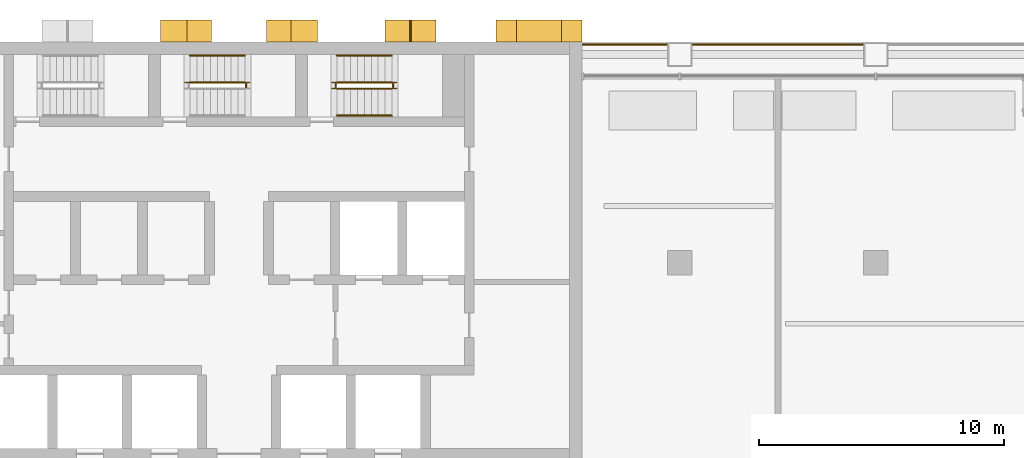
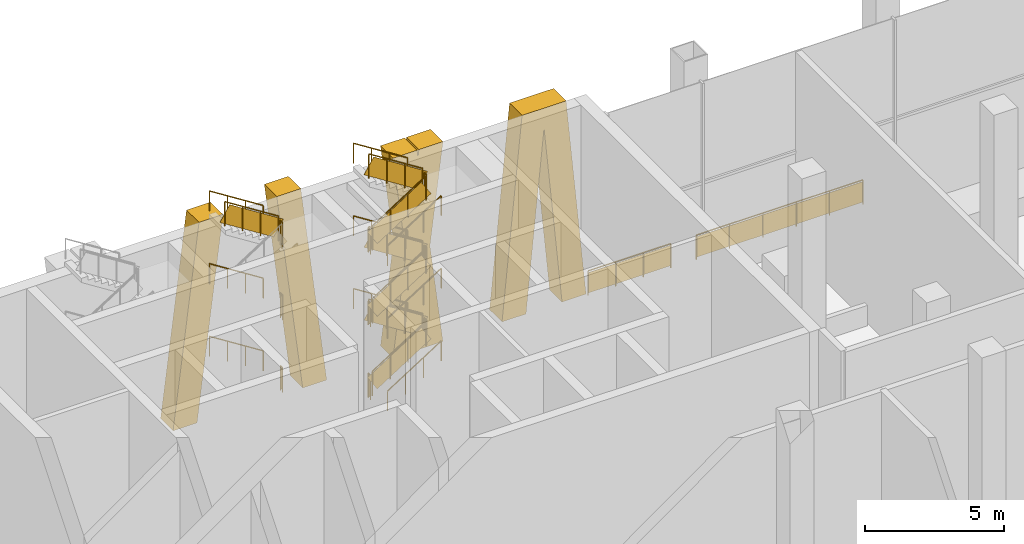
# One storey, part 15 of 16: 27 railings, 4 shading devices.
"""IFC4 building model written with IfcOpenShell, lengths in metres."""

from ifc_helpers import new_model, si_unit, direction, frame, origin, origin_2d, place, context, subcontext, project, spatial, polyline, rectangle, circle, outline, extrude, material, layer, layer_set, type_object, element, save


model = new_model("IFC4")

# Units and contexts
model_context = context("Model", 3, precision=1e-05, world=origin(), true_north=direction((0.0, 1.0)))
body_context = subcontext(model_context, "Body", "Model", "MODEL_VIEW")
ifc_project = project(units=[si_unit("LENGTHUNIT", "METRE"), si_unit("AREAUNIT", "SQUARE_METRE"), si_unit("VOLUMEUNIT", "CUBIC_METRE"), si_unit("PLANEANGLEUNIT", "RADIAN"), si_unit("MASSUNIT", "GRAM", prefix="KILO")], contexts=[model_context])

# Site, building, storey
site_placement = place(None, origin())
site = spatial("IfcSite", under=ifc_project, at=site_placement, CompositionType="ELEMENT")
building_placement = place(site_placement, origin())
building = spatial("IfcBuilding", under=site, at=building_placement, Name="Vidyagriha Tower", CompositionType="ELEMENT")
storey_placement = place(building_placement, frame((0.0, 0.0, 64.0)))
storey = spatial("IfcBuildingStorey", under=building, at=storey_placement, Name="L17", CompositionType="ELEMENT", Elevation=64.0)

# Shading devices
ifc_material_1 = material(Name="Precast concrete C40/50 with brick facing", Category="concrete")
ifc_layer_1 = layer(ifc_material_1, 1.0)
ifc_layer_set_1 = layer_set([ifc_layer_1], Name="Precast concrete C40/50 with brick facing")
shading_device_type_1 = type_object("IfcShadingDeviceType", Name="Brick-faced rear rib arm leaning 8 degrees", PredefinedType="USERDEFINED", material=ifc_layer_set_1)
shading_device_1_placement = place(storey_placement, frame((3.199951171875, 20.449951171875, 0.0), z_axis=(0.0, 0.0, 1.0), x_axis=(-1.0, 0.0, 0.0)))
element("IfcShadingDevice", 1, at=shading_device_1_placement, inside=storey, type_object=shading_device_type_1, Name="Rear rib arm L17 R08.3a", ObjectType="BLADE FIN", PredefinedType="USERDEFINED", context=body_context, shape_type="SweptSolid", body=[
    extrude(outline(polyline([(0.0, 0.0), (1.0, 0.0), (2.080078125, 8.800048828125), (1.080078125, 8.800048828125), (0.0, 0.0)])), frame((0.0, 0.449951171875, 0.0), z_axis=(0.0, -1.0, 0.0), x_axis=(1.0, 0.0, 0.0)), (0.0, 0.0, 1.0), 0.89990234375),
])
shading_device_2_placement = place(storey_placement, frame((-1.1201171875, 20.449951171875, 0.0), z_axis=(0.0, 0.0, 1.0), x_axis=(-1.0, 0.0, 0.0)))
element("IfcShadingDevice", 2, at=shading_device_2_placement, inside=storey, type_object=shading_device_type_1, Name="Rear rib arm L17 R08.3b", ObjectType="BLADE FIN", PredefinedType="USERDEFINED", context=body_context, shape_type="SweptSolid", body=[
    extrude(outline(polyline([(1.080078125, 0.0), (2.080078125, 0.0), (1.0, 8.800048828125), (0.0, 8.800048828125), (1.080078125, 0.0)])), frame((0.0, 0.449951171875, 0.0), z_axis=(0.0, -1.0, 0.0), x_axis=(1.0, 0.0, 0.0)), (0.0, 0.0, 1.0), 0.89990234375),
])
ifc_material_2 = material(Name="Precast concrete C40/50 with brick facing", Category="concrete")
ifc_layer_2 = layer(ifc_material_2, 1.0)
ifc_layer_set_2 = layer_set([ifc_layer_2], Name="Precast concrete C40/50 with brick facing")
shading_device_type_2 = type_object("IfcShadingDeviceType", Name="Brick-faced rear rib forking 8 degrees", PredefinedType="USERDEFINED", material=ifc_layer_set_2)
shading_device_3_placement = place(storey_placement, frame((14.0, 20.449951171875, 0.0), z_axis=(0.0, 0.0, 1.0), x_axis=(-1.0, 0.0, 0.0)))
element("IfcShadingDevice", 3, at=shading_device_3_placement, inside=storey, type_object=shading_device_type_2, Name="Rear rib fork L17 R08.1a", ObjectType="BLADE FIN", PredefinedType="USERDEFINED", context=body_context, shape_type="SweptSolid", body=[
    extrude(outline(polyline([(1.0, 0.0), (1.75, 7.919921875), (2.5, 0.0), (3.5, 0.0), (2.666748046875, 8.800048828125), (0.833251953125, 8.800048828125), (0.0, 0.0), (1.0, 0.0)])), frame((0.0, 0.449951171875, 0.0), z_axis=(0.0, -1.0, 0.0), x_axis=(1.0, 0.0, 0.0)), (0.0, 0.0, 1.0), 0.89990234375),
])
shading_device_4_placement = place(storey_placement, frame((8.0400390625, 20.449951171875, 0.0), z_axis=(0.0, 0.0, 1.0), x_axis=(-1.0, 0.0, 0.0)))
element("IfcShadingDevice", 4, at=shading_device_4_placement, inside=storey, type_object=shading_device_type_2, Name="Rear rib fork L17 R08.2a", ObjectType="BLADE FIN", PredefinedType="USERDEFINED", context=body_context, shape_type="SweptSolid", body=[
    extrude(outline(polyline([(1.0, 0.0), (1.0400390625, 0.325927734375), (1.080078125, 0.0), (2.080078125, 0.0), (1.5400390625, 4.39990234375), (2.080078125, 8.800048828125), (1.080078125, 8.800048828125), (1.0400390625, 8.47412109375), (1.0, 8.800048828125), (0.0, 8.800048828125), (0.5400390625, 4.39990234375), (0.0, 0.0), (1.0, 0.0)])), frame((0.0, 0.449951171875, 0.0), z_axis=(0.0, -1.0, 0.0), x_axis=(1.0, 0.0, 0.0)), (0.0, 0.0, 1.0), 0.89990234375),
])

# Railings
ifc_material_3 = material(Name="Steel ASTM A500 Grade C black painted", Category="steel")
railing_type_1 = type_object("IfcRailingType", Name="Gallery guard 1100", PredefinedType="GUARDRAIL", material=ifc_material_3)
railing_1_placement = place(storey_placement, frame((14.030029296875, 19.89990234375, 0.0)))
element("IfcRailing", 5, at=railing_1_placement, inside=storey, type_object=railing_type_1, Name="Gallery guard L17 18", PredefinedType="GUARDRAIL", context=body_context, shape_type="SweptSolid", body=[
    extrude(circle(Radius=0.02490234375, at=origin_2d()), frame((0.0, 0.0, 1.0751953125), z_axis=(1.0, 0.0, 0.0), x_axis=(0.0, 1.0, 0.0)), (0.0, 0.0, 1.0), 3.43994140625),
    extrude(circle(Radius=0.02001953125, at=origin_2d()), origin(), (0.0, 0.0, 1.0), 1.050048828125),
    extrude(circle(Radius=0.02001953125, at=origin_2d()), frame((1.146728515625, 0.0, 0.0)), (0.0, 0.0, 1.0), 1.050048828125),
    extrude(circle(Radius=0.02001953125, at=origin_2d()), frame((2.293212890625, 0.0, 0.0)), (0.0, 0.0, 1.0), 1.050048828125),
    extrude(circle(Radius=0.02001953125, at=origin_2d()), frame((3.43994140625, 0.0, 0.0)), (0.0, 0.0, 1.0), 1.050048828125),
    extrude(rectangle(XDim=0.010009765625, YDim=0.900146484375, at=origin_2d()), frame((0.0, 0.0, 0.550048828125), z_axis=(1.0, 0.0, 0.0), x_axis=(0.0, 1.0, 0.0)), (0.0, 0.0, 1.0), 3.43994140625),
])
railing_2_placement = place(storey_placement, frame((18.530029296875, 19.89990234375, 0.0)))
element("IfcRailing", 6, at=railing_2_placement, inside=storey, type_object=railing_type_1, Name="Gallery guard L17 20", PredefinedType="GUARDRAIL", context=body_context, shape_type="SweptSolid", body=[
    extrude(circle(Radius=0.02490234375, at=origin_2d()), frame((0.0, 0.0, 1.0751953125), z_axis=(1.0, 0.0, 0.0), x_axis=(0.0, 1.0, 0.0)), (0.0, 0.0, 1.0), 6.93994140625),
    extrude(circle(Radius=0.02001953125, at=origin_2d()), origin(), (0.0, 0.0, 1.0), 1.050048828125),
    extrude(circle(Radius=0.02001953125, at=origin_2d()), frame((1.387939453125, 0.0, 0.0)), (0.0, 0.0, 1.0), 1.050048828125),
    extrude(circle(Radius=0.02001953125, at=origin_2d()), frame((2.77587890625, 0.0, 0.0)), (0.0, 0.0, 1.0), 1.050048828125),
    extrude(circle(Radius=0.02001953125, at=origin_2d()), frame((4.1640625, 0.0, 0.0)), (0.0, 0.0, 1.0), 1.050048828125),
    extrude(circle(Radius=0.02001953125, at=origin_2d()), frame((5.552001953125, 0.0, 0.0)), (0.0, 0.0, 1.0), 1.050048828125),
    extrude(circle(Radius=0.02001953125, at=origin_2d()), frame((6.93994140625, 0.0, 0.0)), (0.0, 0.0, 1.0), 1.050048828125),
    extrude(rectangle(XDim=0.010009765625, YDim=0.900146484375, at=origin_2d()), frame((0.0, 0.0, 0.550048828125), z_axis=(1.0, 0.0, 0.0), x_axis=(0.0, 1.0, 0.0)), (0.0, 0.0, 1.0), 6.93994140625),
])
ifc_material_4 = material(Name="Steel ASTM A500 Grade C", Category="steel")
railing_type_2 = type_object("IfcRailingType", Name="Stair guard 1100 mm, steel balustrade", PredefinedType="GUARDRAIL", material=ifc_material_4)
for number, where, name in (
    (7, (0.2900390625, 18.14990234375, 1.60009765625), "L17 ST2 stair guard 2"),
    (8, (0.2900390625, 18.14990234375, 4.800048828125), "L17 ST2 stair guard 6"),
    (9, (0.2900390625, 18.14990234375, 8.0), "L17 ST2 stair guard 10"),
):
    element("IfcRailing", number, at=place(storey_placement, frame(where)), inside=storey, type_object=railing_type_2, Name=name, PredefinedType="GUARDRAIL", context=body_context, shape_type="SweptSolid", body=[
        extrude(circle(Radius=0.02392578125, at=origin_2d()), frame((0.0, 0.0, 1.076171875), z_axis=(0.0, 1.0, 0.0), x_axis=(-1.0, 0.0, 0.0)), (0.0, 0.0, 1.0), 0.150146484375),
        extrude(circle(Radius=0.02099609375, at=origin_2d()), origin(), (0.0, 0.0, 1.0), 1.052001953125),
        extrude(circle(Radius=0.02099609375, at=origin_2d()), frame((0.0, 0.150146484375, 0.0)), (0.0, 0.0, 1.0), 1.052001953125),
        extrude(rectangle(XDim=0.010009765625, YDim=0.902099609375, at=origin_2d()), frame((0.0, 0.0, 0.551025390625), z_axis=(0.0, 1.0, 0.0), x_axis=(-1.0, 0.0, 0.0)), (0.0, 0.0, 1.0), 0.150146484375),
    ])
railing_3_placement = place(storey_placement, frame((0.239990234375, 18.35009765625, 8.177734375)))
element("IfcRailing", 10, at=railing_3_placement, inside=storey, type_object=railing_type_2, Name="L17 ST2 stair guard 11", PredefinedType="GUARDRAIL", context=body_context, shape_type="SweptSolid", body=[
    extrude(circle(Radius=0.02392578125, at=origin_2d()), frame((0.0, 0.0, 1.076171875), z_axis=(-0.84418770128, 0.0, 0.536047689118), x_axis=(0.0, -1.0, 0.0)), (0.0, 0.0, 1.0), 2.6533203125),
    extrude(circle(Radius=0.02099609375, at=origin_2d()), origin(), (0.0, 0.0, 1.0), 1.052001953125),
    extrude(circle(Radius=0.02099609375, at=origin_2d()), frame((-0.74658203125, 0.0, 0.47412109375)), (0.0, 0.0, 1.0), 1.052001953125),
    extrude(circle(Radius=0.02099609375, at=origin_2d()), frame((-1.493408203125, 0.0, 0.9482421875)), (0.0, 0.0, 1.0), 1.052001953125),
    extrude(circle(Radius=0.02099609375, at=origin_2d()), frame((-2.239990234375, 0.0, 1.42236328125)), (0.0, 0.0, 1.0), 1.052001953125),
    extrude(rectangle(XDim=0.010009765625, YDim=0.761474609375, at=origin_2d()), frame((0.0, 0.0, 0.551025390625), z_axis=(-0.84418770128, 0.0, 0.536047689118), x_axis=(0.0, -1.0, 0.0)), (0.0, 0.0, 1.0), 2.6533203125),
])
railing_4_placement = place(storey_placement, frame((4.0, 18.10009765625, 0.177734375)))
element("IfcRailing", 11, at=railing_4_placement, inside=storey, type_object=railing_type_2, Name="L17 ST3 stair guard 1", PredefinedType="GUARDRAIL", context=body_context, shape_type="SweptSolid", body=[
    extrude(circle(Radius=0.02392578125, at=origin_2d()), frame((0.0, 0.0, 1.076171875), z_axis=(0.84418770128, 0.0, 0.536047689118), x_axis=(0.0, 1.0, 0.0)), (0.0, 0.0, 1.0), 2.6533203125),
    extrude(circle(Radius=0.02099609375, at=origin_2d()), origin(), (0.0, 0.0, 1.0), 1.052001953125),
    extrude(circle(Radius=0.02099609375, at=origin_2d()), frame((0.74658203125, 0.0, 0.47412109375)), (0.0, 0.0, 1.0), 1.052001953125),
    extrude(circle(Radius=0.02099609375, at=origin_2d()), frame((1.493408203125, 0.0, 0.9482421875)), (0.0, 0.0, 1.0), 1.052001953125),
    extrude(circle(Radius=0.02099609375, at=origin_2d()), frame((2.239990234375, 0.0, 1.42236328125)), (0.0, 0.0, 1.0), 1.052001953125),
    extrude(rectangle(XDim=0.010009765625, YDim=0.761474609375, at=origin_2d()), frame((0.0, 0.0, 0.551025390625), z_axis=(0.84418770128, 0.0, 0.536047689118), x_axis=(0.0, 1.0, 0.0)), (0.0, 0.0, 1.0), 2.6533203125),
])
railing_5_placement = place(storey_placement, frame((6.2900390625, 18.14990234375, 1.60009765625)))
element("IfcRailing", 12, at=railing_5_placement, inside=storey, type_object=railing_type_2, Name="L17 ST3 stair guard 2", PredefinedType="GUARDRAIL", context=body_context, shape_type="SweptSolid", body=[
    extrude(circle(Radius=0.02392578125, at=origin_2d()), frame((0.0, 0.0, 1.076171875), z_axis=(0.0, 1.0, 0.0), x_axis=(-1.0, 0.0, 0.0)), (0.0, 0.0, 1.0), 0.150146484375),
    extrude(circle(Radius=0.02099609375, at=origin_2d()), origin(), (0.0, 0.0, 1.0), 1.052001953125),
    extrude(circle(Radius=0.02099609375, at=origin_2d()), frame((0.0, 0.150146484375, 0.0)), (0.0, 0.0, 1.0), 1.052001953125),
    extrude(rectangle(XDim=0.010009765625, YDim=0.902099609375, at=origin_2d()), frame((0.0, 0.0, 0.551025390625), z_axis=(0.0, 1.0, 0.0), x_axis=(-1.0, 0.0, 0.0)), (0.0, 0.0, 1.0), 0.150146484375),
])
railing_6_placement = place(storey_placement, frame((6.239990234375, 18.35009765625, 1.77783203125)))
element("IfcRailing", 13, at=railing_6_placement, inside=storey, type_object=railing_type_2, Name="L17 ST3 stair guard 3", PredefinedType="GUARDRAIL", context=body_context, shape_type="SweptSolid", body=[
    extrude(circle(Radius=0.02392578125, at=origin_2d()), frame((0.0, 0.0, 1.076171875), z_axis=(-0.8442293374, 0.0, 0.53598211339), x_axis=(0.0, -1.0, 0.0)), (0.0, 0.0, 1.0), 2.6533203125),
    extrude(circle(Radius=0.02099609375, at=origin_2d()), origin(), (0.0, 0.0, 1.0), 1.052001953125),
    extrude(circle(Radius=0.02099609375, at=origin_2d()), frame((-0.74658203125, 0.0, 0.47412109375)), (0.0, 0.0, 1.0), 1.052001953125),
    extrude(circle(Radius=0.02099609375, at=origin_2d()), frame((-1.493408203125, 0.0, 0.947998046875)), (0.0, 0.0, 1.0), 1.052001953125),
    extrude(circle(Radius=0.02099609375, at=origin_2d()), frame((-2.239990234375, 0.0, 1.422119140625)), (0.0, 0.0, 1.0), 1.052001953125),
    extrude(rectangle(XDim=0.010009765625, YDim=0.761474609375, at=origin_2d()), frame((0.0, 0.0, 0.551025390625), z_axis=(-0.8442293374, 0.0, 0.53598211339), x_axis=(0.0, -1.0, 0.0)), (0.0, 0.0, 1.0), 2.6533203125),
])
railing_7_placement = place(storey_placement, frame((3.949951171875, 18.14990234375, 3.199951171875)))
element("IfcRailing", 14, at=railing_7_placement, inside=storey, type_object=railing_type_2, Name="L17 ST3 stair guard 4", PredefinedType="GUARDRAIL", context=body_context, shape_type="SweptSolid", body=[
    extrude(circle(Radius=0.02392578125, at=origin_2d()), frame((0.0, 0.0, 1.076171875), z_axis=(0.0, 1.0, 0.0), x_axis=(-1.0, 0.0, 0.0)), (0.0, 0.0, 1.0), 0.150146484375),
    extrude(circle(Radius=0.02099609375, at=origin_2d()), origin(), (0.0, 0.0, 1.0), 1.052001953125),
    extrude(circle(Radius=0.02099609375, at=origin_2d()), frame((0.0, 0.150146484375, 0.0)), (0.0, 0.0, 1.0), 1.052001953125),
    extrude(rectangle(XDim=0.010009765625, YDim=0.902099609375, at=origin_2d()), frame((0.0, 0.0, 0.551025390625), z_axis=(0.0, 1.0, 0.0), x_axis=(-1.0, 0.0, 0.0)), (0.0, 0.0, 1.0), 0.150146484375),
])
railing_8_placement = place(storey_placement, frame((4.0, 18.10009765625, 3.377685546875)))
element("IfcRailing", 15, at=railing_8_placement, inside=storey, type_object=railing_type_2, Name="L17 ST3 stair guard 5", PredefinedType="GUARDRAIL", context=body_context, shape_type="SweptSolid", body=[
    extrude(circle(Radius=0.02392578125, at=origin_2d()), frame((0.0, 0.0, 1.076171875), z_axis=(0.84418770128, 0.0, 0.536047689118), x_axis=(0.0, 1.0, 0.0)), (0.0, 0.0, 1.0), 2.6533203125),
    extrude(circle(Radius=0.02099609375, at=origin_2d()), origin(), (0.0, 0.0, 1.0), 1.052001953125),
    extrude(circle(Radius=0.02099609375, at=origin_2d()), frame((0.74658203125, 0.0, 0.47412109375)), (0.0, 0.0, 1.0), 1.052001953125),
    extrude(circle(Radius=0.02099609375, at=origin_2d()), frame((1.493408203125, 0.0, 0.9482421875)), (0.0, 0.0, 1.0), 1.052001953125),
    extrude(circle(Radius=0.02099609375, at=origin_2d()), frame((2.239990234375, 0.0, 1.42236328125)), (0.0, 0.0, 1.0), 1.052001953125),
    extrude(rectangle(XDim=0.010009765625, YDim=0.761474609375, at=origin_2d()), frame((0.0, 0.0, 0.551025390625), z_axis=(0.84418770128, 0.0, 0.536047689118), x_axis=(0.0, 1.0, 0.0)), (0.0, 0.0, 1.0), 2.6533203125),
])
railing_9_placement = place(storey_placement, frame((6.2900390625, 18.14990234375, 4.800048828125)))
element("IfcRailing", 16, at=railing_9_placement, inside=storey, type_object=railing_type_2, Name="L17 ST3 stair guard 6", PredefinedType="GUARDRAIL", context=body_context, shape_type="SweptSolid", body=[
    extrude(circle(Radius=0.02392578125, at=origin_2d()), frame((0.0, 0.0, 1.076171875), z_axis=(0.0, 1.0, 0.0), x_axis=(-1.0, 0.0, 0.0)), (0.0, 0.0, 1.0), 0.150146484375),
    extrude(circle(Radius=0.02099609375, at=origin_2d()), origin(), (0.0, 0.0, 1.0), 1.052001953125),
    extrude(circle(Radius=0.02099609375, at=origin_2d()), frame((0.0, 0.150146484375, 0.0)), (0.0, 0.0, 1.0), 1.052001953125),
    extrude(rectangle(XDim=0.010009765625, YDim=0.902099609375, at=origin_2d()), frame((0.0, 0.0, 0.551025390625), z_axis=(0.0, 1.0, 0.0), x_axis=(-1.0, 0.0, 0.0)), (0.0, 0.0, 1.0), 0.150146484375),
])
railing_10_placement = place(storey_placement, frame((6.239990234375, 18.35009765625, 4.977783203125)))
element("IfcRailing", 17, at=railing_10_placement, inside=storey, type_object=railing_type_2, Name="L17 ST3 stair guard 7", PredefinedType="GUARDRAIL", context=body_context, shape_type="SweptSolid", body=[
    extrude(circle(Radius=0.02392578125, at=origin_2d()), frame((0.0, 0.0, 1.076171875), z_axis=(-0.8442293374, 0.0, 0.53598211339), x_axis=(0.0, -1.0, 0.0)), (0.0, 0.0, 1.0), 2.6533203125),
    extrude(circle(Radius=0.02099609375, at=origin_2d()), origin(), (0.0, 0.0, 1.0), 1.052001953125),
    extrude(circle(Radius=0.02099609375, at=origin_2d()), frame((-0.74658203125, 0.0, 0.47412109375)), (0.0, 0.0, 1.0), 1.052001953125),
    extrude(circle(Radius=0.02099609375, at=origin_2d()), frame((-1.493408203125, 0.0, 0.947998046875)), (0.0, 0.0, 1.0), 1.052001953125),
    extrude(circle(Radius=0.02099609375, at=origin_2d()), frame((-2.239990234375, 0.0, 1.422119140625)), (0.0, 0.0, 1.0), 1.052001953125),
    extrude(rectangle(XDim=0.010009765625, YDim=0.761474609375, at=origin_2d()), frame((0.0, 0.0, 0.551025390625), z_axis=(-0.8442293374, 0.0, 0.53598211339), x_axis=(0.0, -1.0, 0.0)), (0.0, 0.0, 1.0), 2.6533203125),
])
railing_11_placement = place(storey_placement, frame((3.949951171875, 18.14990234375, 6.39990234375)))
element("IfcRailing", 18, at=railing_11_placement, inside=storey, type_object=railing_type_2, Name="L17 ST3 stair guard 8", PredefinedType="GUARDRAIL", context=body_context, shape_type="SweptSolid", body=[
    extrude(circle(Radius=0.02392578125, at=origin_2d()), frame((0.0, 0.0, 1.076171875), z_axis=(0.0, 1.0, 0.0), x_axis=(-1.0, 0.0, 0.0)), (0.0, 0.0, 1.0), 0.150146484375),
    extrude(circle(Radius=0.02099609375, at=origin_2d()), origin(), (0.0, 0.0, 1.0), 1.052001953125),
    extrude(circle(Radius=0.02099609375, at=origin_2d()), frame((0.0, 0.150146484375, 0.0)), (0.0, 0.0, 1.0), 1.052001953125),
    extrude(rectangle(XDim=0.010009765625, YDim=0.902099609375, at=origin_2d()), frame((0.0, 0.0, 0.551025390625), z_axis=(0.0, 1.0, 0.0), x_axis=(-1.0, 0.0, 0.0)), (0.0, 0.0, 1.0), 0.150146484375),
])
railing_12_placement = place(storey_placement, frame((4.0, 18.10009765625, 6.577880859375)))
element("IfcRailing", 19, at=railing_12_placement, inside=storey, type_object=railing_type_2, Name="L17 ST3 stair guard 9", PredefinedType="GUARDRAIL", context=body_context, shape_type="SweptSolid", body=[
    extrude(circle(Radius=0.02392578125, at=origin_2d()), frame((0.0, 0.0, 1.076171875), z_axis=(0.8442293374, 0.0, 0.53598211339), x_axis=(0.0, 1.0, 0.0)), (0.0, 0.0, 1.0), 2.6533203125),
    extrude(circle(Radius=0.02099609375, at=origin_2d()), origin(), (0.0, 0.0, 1.0), 1.052001953125),
    extrude(circle(Radius=0.02099609375, at=origin_2d()), frame((0.74658203125, 0.0, 0.47412109375)), (0.0, 0.0, 1.0), 1.052001953125),
    extrude(circle(Radius=0.02099609375, at=origin_2d()), frame((1.493408203125, 0.0, 0.947998046875)), (0.0, 0.0, 1.0), 1.052001953125),
    extrude(circle(Radius=0.02099609375, at=origin_2d()), frame((2.239990234375, 0.0, 1.422119140625)), (0.0, 0.0, 1.0), 1.052001953125),
    extrude(rectangle(XDim=0.010009765625, YDim=0.761474609375, at=origin_2d()), frame((0.0, 0.0, 0.551025390625), z_axis=(0.8442293374, 0.0, 0.53598211339), x_axis=(0.0, 1.0, 0.0)), (0.0, 0.0, 1.0), 2.6533203125),
])
railing_13_placement = place(storey_placement, frame((6.2900390625, 18.14990234375, 8.0)))
element("IfcRailing", 20, at=railing_13_placement, inside=storey, type_object=railing_type_2, Name="L17 ST3 stair guard 10", PredefinedType="GUARDRAIL", context=body_context, shape_type="SweptSolid", body=[
    extrude(circle(Radius=0.02392578125, at=origin_2d()), frame((0.0, 0.0, 1.076171875), z_axis=(0.0, 1.0, 0.0), x_axis=(-1.0, 0.0, 0.0)), (0.0, 0.0, 1.0), 0.150146484375),
    extrude(circle(Radius=0.02099609375, at=origin_2d()), origin(), (0.0, 0.0, 1.0), 1.052001953125),
    extrude(circle(Radius=0.02099609375, at=origin_2d()), frame((0.0, 0.150146484375, 0.0)), (0.0, 0.0, 1.0), 1.052001953125),
    extrude(rectangle(XDim=0.010009765625, YDim=0.902099609375, at=origin_2d()), frame((0.0, 0.0, 0.551025390625), z_axis=(0.0, 1.0, 0.0), x_axis=(-1.0, 0.0, 0.0)), (0.0, 0.0, 1.0), 0.150146484375),
])
railing_14_placement = place(storey_placement, frame((6.239990234375, 18.35009765625, 8.177734375)))
element("IfcRailing", 21, at=railing_14_placement, inside=storey, type_object=railing_type_2, Name="L17 ST3 stair guard 11", PredefinedType="GUARDRAIL", context=body_context, shape_type="SweptSolid", body=[
    extrude(circle(Radius=0.02392578125, at=origin_2d()), frame((0.0, 0.0, 1.076171875), z_axis=(-0.84418770128, 0.0, 0.536047689118), x_axis=(0.0, -1.0, 0.0)), (0.0, 0.0, 1.0), 2.6533203125),
    extrude(circle(Radius=0.02099609375, at=origin_2d()), origin(), (0.0, 0.0, 1.0), 1.052001953125),
    extrude(circle(Radius=0.02099609375, at=origin_2d()), frame((-0.74658203125, 0.0, 0.47412109375)), (0.0, 0.0, 1.0), 1.052001953125),
    extrude(circle(Radius=0.02099609375, at=origin_2d()), frame((-1.493408203125, 0.0, 0.9482421875)), (0.0, 0.0, 1.0), 1.052001953125),
    extrude(circle(Radius=0.02099609375, at=origin_2d()), frame((-2.239990234375, 0.0, 1.42236328125)), (0.0, 0.0, 1.0), 1.052001953125),
    extrude(rectangle(XDim=0.010009765625, YDim=0.761474609375, at=origin_2d()), frame((0.0, 0.0, 0.551025390625), z_axis=(-0.84418770128, 0.0, 0.536047689118), x_axis=(0.0, -1.0, 0.0)), (0.0, 0.0, 1.0), 2.6533203125),
])
railing_15_placement = place(storey_placement, frame((3.949951171875, 18.14990234375, 0.0)))
element("IfcRailing", 22, at=railing_15_placement, inside=storey, type_object=railing_type_2, Name="L17 ST3 stair guard 12", PredefinedType="GUARDRAIL", context=body_context, shape_type="SweptSolid", body=[
    extrude(circle(Radius=0.02392578125, at=origin_2d()), frame((0.0, 0.0, 1.076171875), z_axis=(0.0, 1.0, 0.0), x_axis=(-1.0, 0.0, 0.0)), (0.0, 0.0, 1.0), 0.150146484375),
    extrude(circle(Radius=0.02099609375, at=origin_2d()), origin(), (0.0, 0.0, 1.0), 1.052001953125),
    extrude(circle(Radius=0.02099609375, at=origin_2d()), frame((0.0, 0.150146484375, 0.0)), (0.0, 0.0, 1.0), 1.052001953125),
    extrude(rectangle(XDim=0.010009765625, YDim=0.902099609375, at=origin_2d()), frame((0.0, 0.0, 0.551025390625), z_axis=(0.0, 1.0, 0.0), x_axis=(-1.0, 0.0, 0.0)), (0.0, 0.0, 1.0), 0.150146484375),
])
ifc_material_5 = material(Name="Steel ASTM A500 Grade C", Category="steel")
railing_type_3 = type_object("IfcRailingType", Name="Stair handrail 900 mm, steel", PredefinedType="HANDRAIL", material=ifc_material_5)
for number, where, name in (
    (23, (0.239990234375, 19.449951171875, 1.77783203125), "L17 ST2 stair handrail 2"),
    (24, (0.239990234375, 19.449951171875, 4.977783203125), "L17 ST2 stair handrail 4"),
):
    element("IfcRailing", number, at=place(storey_placement, frame(where)), inside=storey, type_object=railing_type_3, Name=name, PredefinedType="HANDRAIL", context=body_context, shape_type="SweptSolid", body=[
        extrude(circle(Radius=0.02392578125, at=origin_2d()), frame((0.0, 0.0, 0.8759765625), z_axis=(-0.8442293374, 0.0, 0.53598211339), x_axis=(0.0, -1.0, 0.0)), (0.0, 0.0, 1.0), 2.6533203125),
        extrude(circle(Radius=0.02099609375, at=origin_2d()), origin(), (0.0, 0.0, 1.0), 0.851806640625),
        extrude(circle(Radius=0.02099609375, at=origin_2d()), frame((-0.74658203125, 0.0, 0.47412109375)), (0.0, 0.0, 1.0), 0.851806640625),
        extrude(circle(Radius=0.02099609375, at=origin_2d()), frame((-1.493408203125, 0.0, 0.947998046875)), (0.0, 0.0, 1.0), 0.851806640625),
        extrude(circle(Radius=0.02099609375, at=origin_2d()), frame((-2.239990234375, 0.0, 1.422119140625)), (0.0, 0.0, 1.0), 0.851806640625),
    ])
railing_16_placement = place(storey_placement, frame((0.239990234375, 19.449951171875, 8.177734375)))
element("IfcRailing", 25, at=railing_16_placement, inside=storey, type_object=railing_type_3, Name="L17 ST2 stair handrail 6", PredefinedType="HANDRAIL", context=body_context, shape_type="SweptSolid", body=[
    extrude(circle(Radius=0.02392578125, at=origin_2d()), frame((0.0, 0.0, 0.8759765625), z_axis=(-0.84418770128, 0.0, 0.536047689118), x_axis=(0.0, -1.0, 0.0)), (0.0, 0.0, 1.0), 2.6533203125),
    extrude(circle(Radius=0.02099609375, at=origin_2d()), origin(), (0.0, 0.0, 1.0), 0.851806640625),
    extrude(circle(Radius=0.02099609375, at=origin_2d()), frame((-0.74658203125, 0.0, 0.47412109375)), (0.0, 0.0, 1.0), 0.851806640625),
    extrude(circle(Radius=0.02099609375, at=origin_2d()), frame((-1.493408203125, 0.0, 0.9482421875)), (0.0, 0.0, 1.0), 0.851806640625),
    extrude(circle(Radius=0.02099609375, at=origin_2d()), frame((-2.239990234375, 0.0, 1.42236328125)), (0.0, 0.0, 1.0), 0.851806640625),
])
railing_17_placement = place(storey_placement, frame((4.0, 17.0, 0.177734375)))
element("IfcRailing", 26, at=railing_17_placement, inside=storey, type_object=railing_type_3, Name="L17 ST3 stair handrail 1", PredefinedType="HANDRAIL", context=body_context, shape_type="SweptSolid", body=[
    extrude(circle(Radius=0.02392578125, at=origin_2d()), frame((0.0, 0.0, 0.8759765625), z_axis=(0.84418770128, 0.0, 0.536047689118), x_axis=(0.0, 1.0, 0.0)), (0.0, 0.0, 1.0), 2.6533203125),
    extrude(circle(Radius=0.02099609375, at=origin_2d()), origin(), (0.0, 0.0, 1.0), 0.851806640625),
    extrude(circle(Radius=0.02099609375, at=origin_2d()), frame((0.74658203125, 0.0, 0.47412109375)), (0.0, 0.0, 1.0), 0.851806640625),
    extrude(circle(Radius=0.02099609375, at=origin_2d()), frame((1.493408203125, 0.0, 0.9482421875)), (0.0, 0.0, 1.0), 0.851806640625),
    extrude(circle(Radius=0.02099609375, at=origin_2d()), frame((2.239990234375, 0.0, 1.42236328125)), (0.0, 0.0, 1.0), 0.851806640625),
])
railing_18_placement = place(storey_placement, frame((6.239990234375, 19.449951171875, 1.77783203125)))
element("IfcRailing", 27, at=railing_18_placement, inside=storey, type_object=railing_type_3, Name="L17 ST3 stair handrail 2", PredefinedType="HANDRAIL", context=body_context, shape_type="SweptSolid", body=[
    extrude(circle(Radius=0.02392578125, at=origin_2d()), frame((0.0, 0.0, 0.8759765625), z_axis=(-0.8442293374, 0.0, 0.53598211339), x_axis=(0.0, -1.0, 0.0)), (0.0, 0.0, 1.0), 2.6533203125),
    extrude(circle(Radius=0.02099609375, at=origin_2d()), origin(), (0.0, 0.0, 1.0), 0.851806640625),
    extrude(circle(Radius=0.02099609375, at=origin_2d()), frame((-0.74658203125, 0.0, 0.47412109375)), (0.0, 0.0, 1.0), 0.851806640625),
    extrude(circle(Radius=0.02099609375, at=origin_2d()), frame((-1.493408203125, 0.0, 0.947998046875)), (0.0, 0.0, 1.0), 0.851806640625),
    extrude(circle(Radius=0.02099609375, at=origin_2d()), frame((-2.239990234375, 0.0, 1.422119140625)), (0.0, 0.0, 1.0), 0.851806640625),
])
railing_19_placement = place(storey_placement, frame((4.0, 17.0, 3.377685546875)))
element("IfcRailing", 28, at=railing_19_placement, inside=storey, type_object=railing_type_3, Name="L17 ST3 stair handrail 3", PredefinedType="HANDRAIL", context=body_context, shape_type="SweptSolid", body=[
    extrude(circle(Radius=0.02392578125, at=origin_2d()), frame((0.0, 0.0, 0.8759765625), z_axis=(0.84418770128, 0.0, 0.536047689118), x_axis=(0.0, 1.0, 0.0)), (0.0, 0.0, 1.0), 2.6533203125),
    extrude(circle(Radius=0.02099609375, at=origin_2d()), origin(), (0.0, 0.0, 1.0), 0.851806640625),
    extrude(circle(Radius=0.02099609375, at=origin_2d()), frame((0.74658203125, 0.0, 0.47412109375)), (0.0, 0.0, 1.0), 0.851806640625),
    extrude(circle(Radius=0.02099609375, at=origin_2d()), frame((1.493408203125, 0.0, 0.9482421875)), (0.0, 0.0, 1.0), 0.851806640625),
    extrude(circle(Radius=0.02099609375, at=origin_2d()), frame((2.239990234375, 0.0, 1.42236328125)), (0.0, 0.0, 1.0), 0.851806640625),
])
railing_20_placement = place(storey_placement, frame((6.239990234375, 19.449951171875, 4.977783203125)))
element("IfcRailing", 29, at=railing_20_placement, inside=storey, type_object=railing_type_3, Name="L17 ST3 stair handrail 4", PredefinedType="HANDRAIL", context=body_context, shape_type="SweptSolid", body=[
    extrude(circle(Radius=0.02392578125, at=origin_2d()), frame((0.0, 0.0, 0.8759765625), z_axis=(-0.8442293374, 0.0, 0.53598211339), x_axis=(0.0, -1.0, 0.0)), (0.0, 0.0, 1.0), 2.6533203125),
    extrude(circle(Radius=0.02099609375, at=origin_2d()), origin(), (0.0, 0.0, 1.0), 0.851806640625),
    extrude(circle(Radius=0.02099609375, at=origin_2d()), frame((-0.74658203125, 0.0, 0.47412109375)), (0.0, 0.0, 1.0), 0.851806640625),
    extrude(circle(Radius=0.02099609375, at=origin_2d()), frame((-1.493408203125, 0.0, 0.947998046875)), (0.0, 0.0, 1.0), 0.851806640625),
    extrude(circle(Radius=0.02099609375, at=origin_2d()), frame((-2.239990234375, 0.0, 1.422119140625)), (0.0, 0.0, 1.0), 0.851806640625),
])
railing_21_placement = place(storey_placement, frame((4.0, 17.0, 6.577880859375)))
element("IfcRailing", 30, at=railing_21_placement, inside=storey, type_object=railing_type_3, Name="L17 ST3 stair handrail 5", PredefinedType="HANDRAIL", context=body_context, shape_type="SweptSolid", body=[
    extrude(circle(Radius=0.02392578125, at=origin_2d()), frame((0.0, 0.0, 0.8759765625), z_axis=(0.8442293374, 0.0, 0.53598211339), x_axis=(0.0, 1.0, 0.0)), (0.0, 0.0, 1.0), 2.6533203125),
    extrude(circle(Radius=0.02099609375, at=origin_2d()), origin(), (0.0, 0.0, 1.0), 0.851806640625),
    extrude(circle(Radius=0.02099609375, at=origin_2d()), frame((0.74658203125, 0.0, 0.47412109375)), (0.0, 0.0, 1.0), 0.851806640625),
    extrude(circle(Radius=0.02099609375, at=origin_2d()), frame((1.493408203125, 0.0, 0.947998046875)), (0.0, 0.0, 1.0), 0.851806640625),
    extrude(circle(Radius=0.02099609375, at=origin_2d()), frame((2.239990234375, 0.0, 1.422119140625)), (0.0, 0.0, 1.0), 0.851806640625),
])
railing_22_placement = place(storey_placement, frame((6.239990234375, 19.449951171875, 8.177734375)))
element("IfcRailing", 31, at=railing_22_placement, inside=storey, type_object=railing_type_3, Name="L17 ST3 stair handrail 6", PredefinedType="HANDRAIL", context=body_context, shape_type="SweptSolid", body=[
    extrude(circle(Radius=0.02392578125, at=origin_2d()), frame((0.0, 0.0, 0.8759765625), z_axis=(-0.84418770128, 0.0, 0.536047689118), x_axis=(0.0, -1.0, 0.0)), (0.0, 0.0, 1.0), 2.6533203125),
    extrude(circle(Radius=0.02099609375, at=origin_2d()), origin(), (0.0, 0.0, 1.0), 0.851806640625),
    extrude(circle(Radius=0.02099609375, at=origin_2d()), frame((-0.74658203125, 0.0, 0.47412109375)), (0.0, 0.0, 1.0), 0.851806640625),
    extrude(circle(Radius=0.02099609375, at=origin_2d()), frame((-1.493408203125, 0.0, 0.9482421875)), (0.0, 0.0, 1.0), 0.851806640625),
    extrude(circle(Radius=0.02099609375, at=origin_2d()), frame((-2.239990234375, 0.0, 1.42236328125)), (0.0, 0.0, 1.0), 0.851806640625),
])

save(model, "model.ifc")
